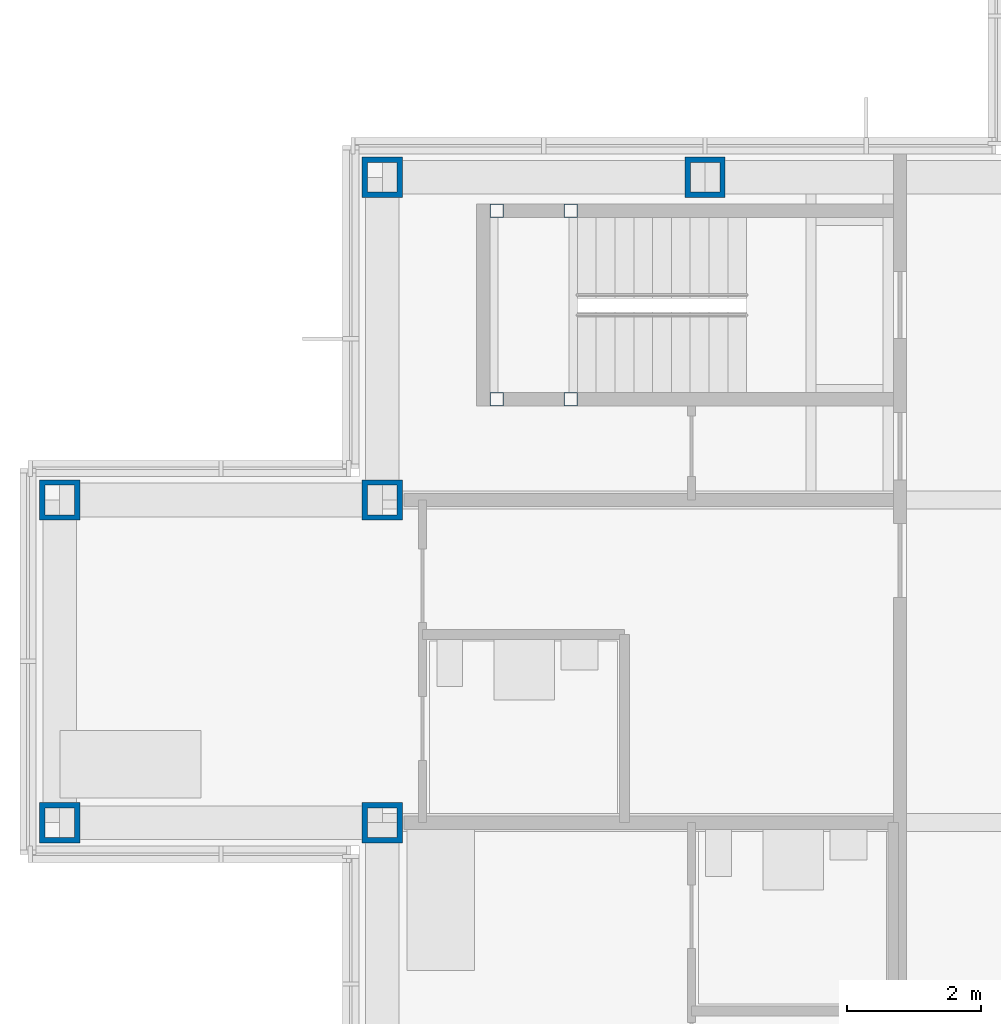
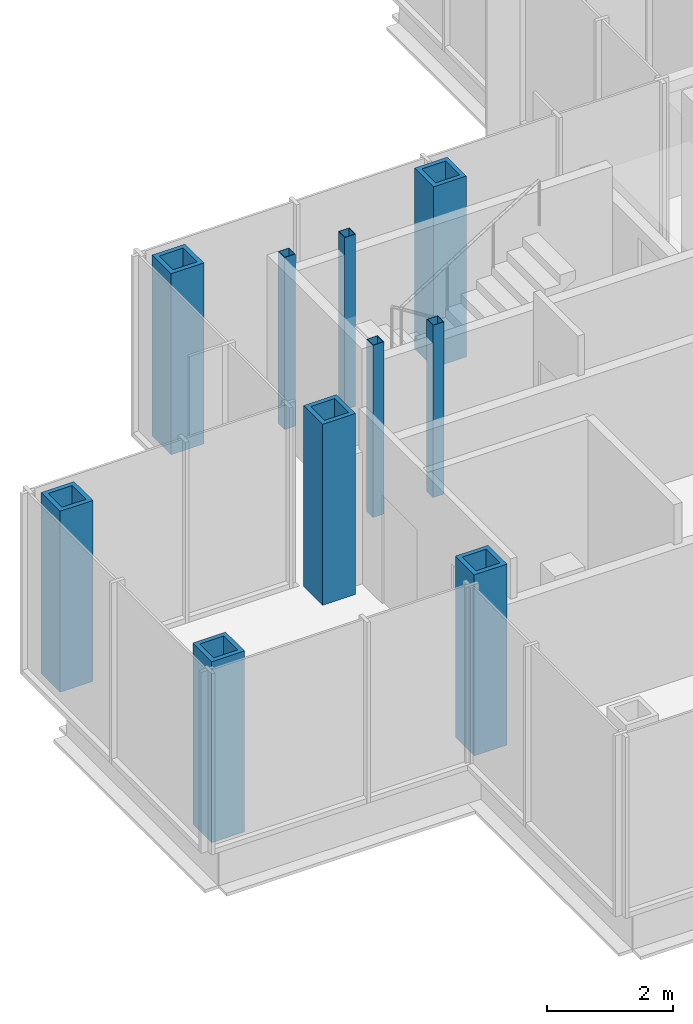
# One storey, part 3 of 17: 10 columns.
"""IFC4 building model written with IfcOpenShell, lengths in metres."""

from ifc_helpers import new_model, si_unit, direction, frame, origin, origin_2d, place, context, subcontext, project, spatial, hollow_rectangle, extrude, material, material_profile, profile_set, type_object, element, save


model = new_model("IFC4")

# Units and contexts
model_context = context("Model", 3, precision=1e-05, world=origin(), true_north=direction((0.0, 1.0)))
body_context = subcontext(model_context, "Body", "Model", "MODEL_VIEW")
ifc_project = project(units=[si_unit("LENGTHUNIT", "METRE"), si_unit("AREAUNIT", "SQUARE_METRE"), si_unit("VOLUMEUNIT", "CUBIC_METRE"), si_unit("PLANEANGLEUNIT", "RADIAN"), si_unit("MASSUNIT", "GRAM", prefix="KILO")], contexts=[model_context])

# Site, building, storey
site_placement = place(None, origin())
site = spatial("IfcSite", under=ifc_project, at=site_placement, CompositionType="ELEMENT")
building_placement = place(site_placement, origin())
building = spatial("IfcBuilding", under=site, at=building_placement, Name="Kvirike Care Tower", CompositionType="ELEMENT")
storey_placement = place(building_placement, frame((0.0, 0.0, 179.5)))
storey = spatial("IfcBuildingStorey", under=building, at=storey_placement, Name="L49", CompositionType="ELEMENT", Elevation=179.5)

# Columns
ifc_material_1 = material(Name="Steel S460", Category="steel")
ifc_material_profile_1 = material_profile(ifc_material_1, hollow_rectangle(XDim=0.60009765625, YDim=0.60009765625, WallThickness=0.080078125, at=origin_2d()), Name="BX 600x600x80")
ifc_profile_set_1 = profile_set([ifc_material_profile_1], Name="Steel S460")
column_type_1 = type_object("IfcColumnType", Name="COLUMN BX 600x600x80", PredefinedType="COLUMN", material=ifc_profile_set_1)
for number, where, z_axis, x_axis, name in (
    (1, (0.0, 33.60009765625, 0.0), (0.0, 0.0, 1.0), (0.0, 1.0, 0.0), "Column H3 L49"),
    (2, (0.0, 38.39990234375, 0.0), (0.0, 0.0, 1.0), (0.0, 1.0, 0.0), "Column J3 L49"),
    (3, (4.800048828125, 33.60009765625, 0.0), (0.0, 0.0, 1.0), (0.0, 1.0, 0.0), "Column H4 L49"),
    (4, (4.800048828125, 38.39990234375, 0.0), (0.0, 0.0, 1.0), (0.0, 1.0, 0.0), "Column J4 L49"),
    (5, (4.800048828125, 43.199951171875, 0.0), (0.0, 0.0, 1.0), (0.0, 1.0, 0.0), "Column K4 L49"),
    (6, (9.60009765625, 43.199951171875, 0.0), (0.0, 0.0, 1.0), (0.0, 1.0, 0.0), "Column K5 L49"),
):
    element("IfcColumn", number, at=place(storey_placement, frame(where, z_axis=z_axis, x_axis=x_axis)), inside=storey, type_object=column_type_1, Name=name, PredefinedType="COLUMN", context=body_context, shape_type="SweptSolid", body=[
        extrude(hollow_rectangle(XDim=0.60009765625, YDim=0.60009765625, WallThickness=0.080078125, at=origin_2d()), origin(), (0.0, 0.0, 1.0), 3.5),
    ])
ifc_material_2 = material(Name="Steel S460", Category="steel")
ifc_material_profile_2 = material_profile(ifc_material_2, hollow_rectangle(XDim=0.199951171875, YDim=0.199951171875, WallThickness=0.008056640625, at=origin_2d()), Name="SHS 200x200x8")
ifc_profile_set_2 = profile_set([ifc_material_profile_2], Name="Steel S460")
column_type_2 = type_object("IfcColumnType", Name="STAIR POST SHS 200x200x8", PredefinedType="COLUMN", material=ifc_profile_set_2)
for number, where, z_axis, x_axis, name in (
    (7, (6.5, 42.699951171875, 0.0), (0.0, 0.0, 1.0), (1.0, 0.0, 0.0), "Stair 1 post 1 L49"),
    (8, (6.5, 39.89990234375, 0.0), (0.0, 0.0, 1.0), (1.0, 0.0, 0.0), "Stair 1 post 2 L49"),
    (9, (7.60009765625, 42.699951171875, 0.0), (0.0, 0.0, 1.0), (1.0, 0.0, 0.0), "Stair 1 post 3 L49"),
    (10, (7.60009765625, 39.89990234375, 0.0), (0.0, 0.0, 1.0), (1.0, 0.0, 0.0), "Stair 1 post 4 L49"),
):
    element("IfcColumn", number, at=place(storey_placement, frame(where, z_axis=z_axis, x_axis=x_axis)), inside=storey, type_object=column_type_2, Name=name, PredefinedType="COLUMN", context=body_context, shape_type="SweptSolid", body=[
        extrude(hollow_rectangle(XDim=0.199951171875, YDim=0.199951171875, WallThickness=0.008056640625, at=origin_2d()), origin(), (0.0, 0.0, 1.0), 3.330078125),
    ])

save(model, "model.ifc")
